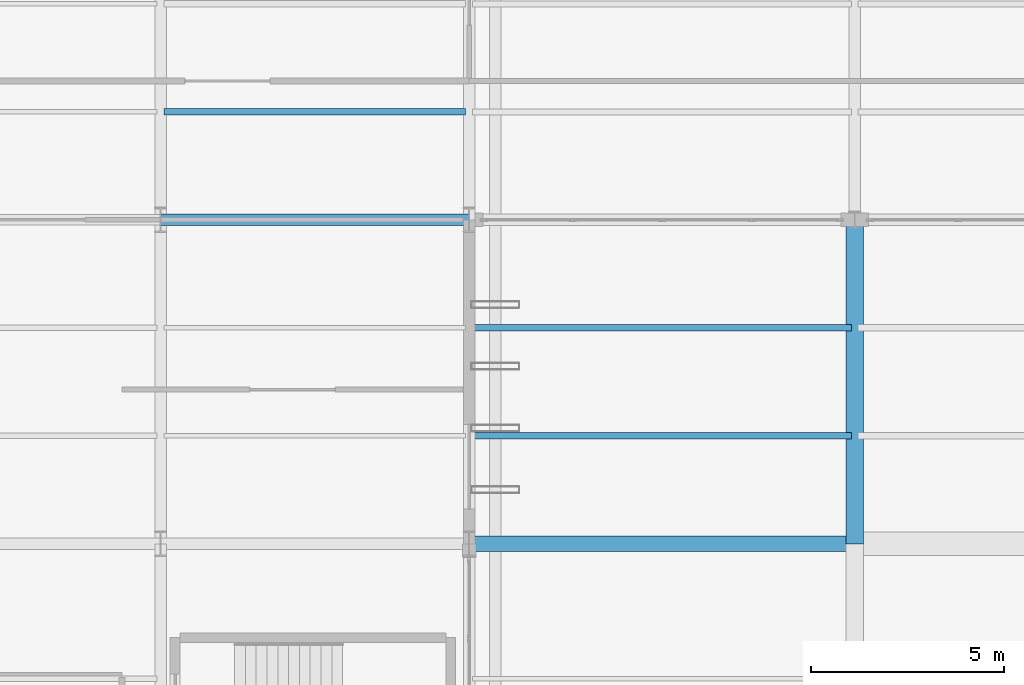
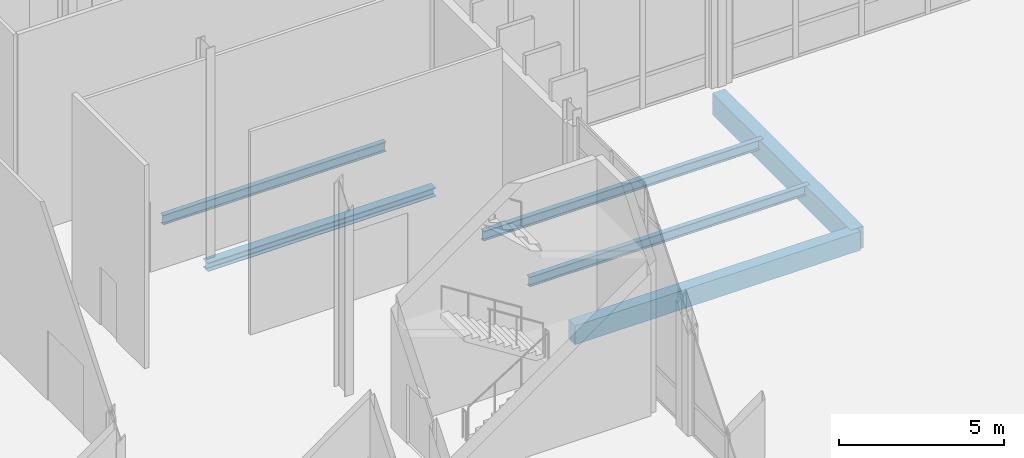
# One storey, part 94 of 176: 6 beams.
"""IFC4 building model written with IfcOpenShell, lengths in metres."""

import ifcopenshell
import ifcopenshell.guid

model = None  # the IFC model being written
_history = None  # IfcOwnerHistory: only IFC2X3 demands one
_inside = {}  # id of a spatial element -> (the spatial element, [elements in it])
_under = {}  # id of a project, library or spatial element -> (it, [spatial elements below it])
_declared = {}  # id of a project -> (the project, [libraries it declares])
_typed = {}  # id of a type object -> (the type object, [elements of that type])
_made_of = {}  # id of a material, layer set ... -> (it, [elements and type objects made of it])


def new_model(schema):
    """Start an empty IFC model of exactly this schema.

    Asked for "IFC4X3", IfcOpenShell would pick the latest addendum, in which some entities
    have other attributes; the version numbers below select the first issue.
    IFC2X3 requires an IfcOwnerHistory on every rooted entity: one is made here for all.
    """
    global model, _history
    if schema == "IFC4X3":
        model = ifcopenshell.file(schema_version=(4, 3, 0, 0))
    else:
        model = ifcopenshell.file(schema=schema)
    _inside.clear()
    _under.clear()
    _declared.clear()
    _typed.clear()
    _made_of.clear()
    _history = None
    if model.schema == "IFC2X3":
        org = make("IfcOrganization", Name="unknown")
        user = make(
            "IfcPersonAndOrganization",
            ThePerson=make("IfcPerson", FamilyName="unknown"),
            TheOrganization=org,
        )
        app = make(
            "IfcApplication",
            ApplicationDeveloper=org,
            Version="unknown",
            ApplicationFullName="unknown",
            ApplicationIdentifier="unknown",
        )
        _history = make(
            "IfcOwnerHistory",
            OwningUser=user,
            OwningApplication=app,
            ChangeAction="ADDED",
            CreationDate=0,
        )
    return model


def make(cls, **values):
    """One entity of the class cls with the attributes given. An attribute that is None is left unset."""
    return model.create_entity(
        cls, **{name: value for name, value in values.items() if value is not None}
    )


def rooted(cls, **values):
    """An entity with a GlobalId (a new one), such as an element, a storey or a relation."""
    return make(cls, GlobalId=ifcopenshell.guid.new(), OwnerHistory=_history, **values)


def si_unit(unit_type, name, prefix=None):
    """IfcSIUnit, for example si_unit("LENGTHUNIT", "METRE", prefix="MILLI")."""
    return make("IfcSIUnit", UnitType=unit_type, Prefix=prefix, Name=name)


def assignment(units):
    """IfcUnitAssignment: the units of a project."""
    return None if units is None else make("IfcUnitAssignment", Units=units)


def point(xyz):
    """IfcCartesianPoint."""
    return None if xyz is None else make("IfcCartesianPoint", Coordinates=xyz)


def direction(xyz):
    """IfcDirection."""
    return None if xyz is None else make("IfcDirection", DirectionRatios=xyz)


def frame(location, z_axis=None, x_axis=None):
    """IfcAxis2Placement3D, a coordinate frame: its origin and axes. An axis left out is left unset."""
    return make(
        "IfcAxis2Placement3D",
        Location=point(location),
        Axis=direction(z_axis),
        RefDirection=direction(x_axis),
    )


def frame_2d(location, x_axis=None):
    """IfcAxis2Placement2D, a coordinate frame in the plane: its origin and x axis."""
    return make(
        "IfcAxis2Placement2D", Location=point(location), RefDirection=direction(x_axis)
    )


def origin():
    """The frame at (0, 0, 0) with its axes left unset."""
    return frame((0.0, 0.0, 0.0))


def origin_2d():
    """The frame at (0, 0) in the plane with its x axis left unset."""
    return frame_2d((0.0, 0.0))


def place(relative_to, where):
    """IfcLocalPlacement: puts the frame where relative to a parent placement (None: the world)."""
    return make(
        "IfcLocalPlacement", PlacementRelTo=relative_to, RelativePlacement=where
    )


def context(
    kind, dimensions, precision=None, world=None, true_north=None, identifier=None
):
    """IfcGeometricRepresentationContext, for example the 3D "Model" context."""
    return make(
        "IfcGeometricRepresentationContext",
        ContextIdentifier=identifier,
        ContextType=kind,
        CoordinateSpaceDimension=dimensions,
        Precision=precision,
        WorldCoordinateSystem=world,
        TrueNorth=true_north,
    )


def subcontext(parent, identifier, kind, view, scale=None):
    """IfcGeometricRepresentationSubContext, for example "Body" below "Model"."""
    return make(
        "IfcGeometricRepresentationSubContext",
        ContextIdentifier=identifier,
        ContextType=kind,
        ParentContext=parent,
        TargetScale=scale,
        TargetView=view,
    )


def project(units=None, contexts=None):
    """IfcProject with its units and contexts."""
    return rooted(
        "IfcProject",
        Name="project",
        RepresentationContexts=contexts,
        UnitsInContext=assignment(units),
    )


def spatial(cls, under=None, at=None, **own):
    """A site, building, storey or space (cls), placed at a placement, below another one or the project."""
    s = rooted(cls, ObjectPlacement=at, **own)
    if under is not None:
        _under.setdefault(under.id(), (under, []))[1].append(s)
    return s


def profile(cls, at=None, kind="AREA", **sizes):
    """A parametric profile (cls). Its sizes go by their IFC names, for example OverallWidth=200.0."""
    return make(cls, ProfileType=kind, Position=at, **sizes)


def rectangle(**sizes):
    """IfcRectangleProfileDef."""
    return profile("IfcRectangleProfileDef", **sizes)


def i_section(**sizes):
    """IfcIShapeProfileDef."""
    return profile("IfcIShapeProfileDef", **sizes)


def extrude(swept, where, along, depth):
    """IfcExtrudedAreaSolid: the profile swept, set in the frame where, extruded along a direction by depth."""
    return make(
        "IfcExtrudedAreaSolid",
        SweptArea=swept,
        Position=where,
        ExtrudedDirection=direction(along),
        Depth=depth,
    )


def shape(context_of_items, identifier, shape_type, items):
    """IfcShapeRepresentation: the items that make up one representation, for example the "Body"."""
    return make(
        "IfcShapeRepresentation",
        ContextOfItems=context_of_items,
        RepresentationIdentifier=identifier,
        RepresentationType=shape_type,
        Items=items,
    )


def material(Name=None, Category=None):
    """IfcMaterial."""
    return make("IfcMaterial", Name=Name, Category=Category)


def material_profile(
    of_material, cross_section, Name=None, Category=None, Priority=None
):
    """IfcMaterialProfile: a cross section and its material."""
    return make(
        "IfcMaterialProfile",
        Name=Name,
        Material=of_material,
        Profile=cross_section,
        Priority=Priority,
        Category=Category,
    )


def profile_set(profiles, Name=None, composite=None):
    """IfcMaterialProfileSet."""
    return make(
        "IfcMaterialProfileSet",
        Name=Name,
        MaterialProfiles=profiles,
        CompositeProfile=composite,
    )


def made_of(thing, what):
    """Note that an element or type object is made of a material, layer set ...; save() writes the relation."""
    if what is not None:
        _made_of.setdefault(what.id(), (what, []))[1].append(thing)
    return thing


def type_object(cls, material=None, **own):
    """A type object (cls), such as IfcWallType, which elements share."""
    return made_of(rooted(cls, **own), material)


def element(
    cls,
    number,
    at=None,
    inside=None,
    cuts=None,
    type_object=None,
    material=None,
    context=None,
    identifier="Body",
    shape_type=None,
    held_by="IfcProductDefinitionShape",
    body=None,
    shapes=None,
    **own,
):
    """One element of the class cls, such as IfcWall. Its Tag is "e" and its number.

    at: its placement. inside: the storey or other place that contains it. cuts: it is an
    opening in that element (IfcRelVoidsElement). A single representation is given by context,
    identifier, shape_type and body (its items); several are given by shapes. held_by: the class
    of the entity that holds the representations. save() writes the other relations.
    """
    e = rooted(cls, Tag="e%d" % number, ObjectPlacement=at, **own)
    if body is not None:
        shapes = [shape(context, identifier, shape_type, body)]
    if shapes is not None:
        e.Representation = make(held_by, Representations=shapes)
    if inside is not None:
        _inside.setdefault(inside.id(), (inside, []))[1].append(e)
    if cuts is not None:
        rooted(
            "IfcRelVoidsElement", RelatingBuildingElement=cuts, RelatedOpeningElement=e
        )
    if type_object is not None:
        _typed.setdefault(type_object.id(), (type_object, []))[1].append(e)
    return made_of(e, material)


def aggregate(whole, parts):
    """IfcRelAggregates: a whole, such as a stair, and the parts it consists of."""
    return rooted("IfcRelAggregates", RelatingObject=whole, RelatedObjects=parts)


def save(model, path):
    """Write the relations noted so far, then the file.

    IfcRelAggregates (storeys below a building ...), IfcRelContainedInSpatialStructure (elements
    in a storey), IfcRelDefinesByType, IfcRelAssociatesMaterial and IfcRelDeclares: one each for
    every whole, place, type object, material and project.
    """
    for whole, parts in _under.values():
        aggregate(whole, parts)
    for where, things in _inside.values():
        rooted(
            "IfcRelContainedInSpatialStructure",
            RelatedElements=things,
            RelatingStructure=where,
        )
    for kind, things in _typed.values():
        rooted("IfcRelDefinesByType", RelatedObjects=things, RelatingType=kind)
    for what, things in _made_of.values():
        rooted("IfcRelAssociatesMaterial", RelatedObjects=things, RelatingMaterial=what)
    for by, libraries in _declared.values():
        rooted("IfcRelDeclares", RelatingContext=by, RelatedDefinitions=libraries)
    model.write(path)


model = new_model("IFC4")

# Units and contexts
model_context = context("Model", 3, precision=1e-05, world=origin(), true_north=direction((0.0, 1.0)))
body_context = subcontext(model_context, "Body", "Model", "MODEL_VIEW")
ifc_project = project(units=[si_unit("LENGTHUNIT", "METRE"), si_unit("AREAUNIT", "SQUARE_METRE"), si_unit("VOLUMEUNIT", "CUBIC_METRE"), si_unit("PLANEANGLEUNIT", "RADIAN"), si_unit("MASSUNIT", "GRAM", prefix="KILO")], contexts=[model_context])

# Site, building, storey
site_placement = place(None, origin())
site = spatial("IfcSite", under=ifc_project, at=site_placement, CompositionType="ELEMENT")
building_placement = place(site_placement, origin())
building = spatial("IfcBuilding", under=site, at=building_placement, Name="Vekula Escarpment Museum", CompositionType="ELEMENT")
storey_placement = place(building_placement, origin())
storey = spatial("IfcBuildingStorey", under=building, at=storey_placement, Name="L01", CompositionType="ELEMENT", Elevation=0.0)

# Beams
ifc_material_1 = material(Name="Steel S355", Category="steel")
ifc_material_profile_1 = material_profile(ifc_material_1, i_section(OverallWidth=0.300048828125, OverallDepth=0.320068359375, WebThickness=0.011474609375, FlangeThickness=0.0205078125, FilletRadius=0.027099609375, at=origin_2d()), Name="HEB 320")
ifc_profile_set_1 = profile_set([ifc_material_profile_1], Name="Steel S355")
beam_type_1 = type_object("IfcBeamType", Name="BM-GIRD-HEB320", PredefinedType="BEAM", material=ifc_profile_set_1)
beam_1_placement = place(storey_placement, frame((118.0, 68.0, -0.4599609375), z_axis=(1.0, 0.0, 0.0), x_axis=(0.0, 1.0, 0.0)))
element("IfcBeam", 1, at=beam_1_placement, inside=storey, type_object=beam_type_1, Name="Beam X L01 0198", PredefinedType="BEAM", context=body_context, shape_type="SweptSolid", body=[
    extrude(i_section(OverallWidth=0.300048828125, OverallDepth=0.320068359375, WebThickness=0.011474609375, FlangeThickness=0.0205078125, FilletRadius=0.027099609375, at=origin_2d()), origin(), (0.0, 0.0, 1.0), 8.0),
])
ifc_material_2 = material(Name="Steel S355", Category="steel")
ifc_material_profile_2 = material_profile(ifc_material_2, i_section(OverallWidth=0.169921875, OverallDepth=0.360107421875, WebThickness=0.008056640625, FlangeThickness=0.0126953125, FilletRadius=0.01806640625, at=origin_2d()), Name="IPE 360")
ifc_profile_set_2 = profile_set([ifc_material_profile_2], Name="Steel S355")
beam_type_2 = type_object("IfcBeamType", Name="BM-JST-IPE360", PredefinedType="JOIST", material=ifc_profile_set_2)
beam_2_placement = place(storey_placement, frame((118.090087890625, 70.800048828125, -0.47998046875), z_axis=(1.0, 0.0, 0.0), x_axis=(0.0, 1.0, 0.0)))
element("IfcBeam", 2, at=beam_2_placement, inside=storey, type_object=beam_type_2, Name="Secondary Joist L01 0397", PredefinedType="JOIST", context=body_context, shape_type="SweptSolid", body=[
    extrude(i_section(OverallWidth=0.169921875, OverallDepth=0.360107421875, WebThickness=0.008056640625, FlangeThickness=0.0126953125, FilletRadius=0.01806640625, at=origin_2d()), origin(), (0.0, 0.0, 1.0), 7.81982421875),
])
for number, where, z_axis, x_axis, name in (
    (3, (126.090087890625, 62.39990234375, -0.47998046875), (1.0, 0.0, 0.0), (0.0, 1.0, 0.0), "Secondary Joist L01 0427"),
    (4, (126.090087890625, 65.199951171875, -0.47998046875), (1.0, 0.0, 0.0), (0.0, 1.0, 0.0), "Secondary Joist L01 0428"),
):
    element("IfcBeam", number, at=place(storey_placement, frame(where, z_axis=z_axis, x_axis=x_axis)), inside=storey, type_object=beam_type_2, Name=name, PredefinedType="JOIST", context=body_context, shape_type="SweptSolid", body=[
        extrude(i_section(OverallWidth=0.169921875, OverallDepth=0.360107421875, WebThickness=0.008056640625, FlangeThickness=0.0126953125, FilletRadius=0.01806640625, at=origin_2d()), origin(), (0.0, 0.0, 1.0), 9.81982421875),
    ])
ifc_material_3 = material(Name="Concrete C35/45", Category="concrete")
ifc_material_profile_3 = material_profile(ifc_material_3, rectangle(XDim=0.449951171875, YDim=0.800048828125, at=origin_2d()), Name="RC 450x800")
ifc_profile_set_3 = profile_set([ifc_material_profile_3], Name="Concrete C35/45")
beam_type_3 = type_object("IfcBeamType", Name="BM-PLINTH-RC", PredefinedType="BEAM", material=ifc_profile_set_3)
beam_3_placement = place(storey_placement, frame((136.0, 59.60009765625, -0.699951171875), z_axis=(0.0, 1.0, 0.0), x_axis=(-1.0, 0.0, 0.0)))
element("IfcBeam", 5, at=beam_3_placement, inside=storey, type_object=beam_type_3, Name="Beam Y L01 0676", PredefinedType="BEAM", context=body_context, shape_type="SweptSolid", body=[
    extrude(rectangle(XDim=0.449951171875, YDim=0.800048828125, at=origin_2d()), origin(), (0.0, 0.0, 1.0), 8.39990234375),
])
ifc_material_4 = material(Name="Concrete C35/45", Category="concrete")
ifc_material_profile_4 = material_profile(ifc_material_4, rectangle(XDim=0.39990234375, YDim=0.699951171875, at=origin_2d()), Name="RC 400x700")
ifc_profile_set_4 = profile_set([ifc_material_profile_4], Name="Concrete C35/45")
beam_type_4 = type_object("IfcBeamType", Name="BM-PLINTH-RC2", PredefinedType="BEAM", material=ifc_profile_set_4)
beam_4_placement = place(storey_placement, frame((126.0, 59.60009765625, -0.64990234375), z_axis=(1.0, 0.0, 0.0), x_axis=(0.0, 1.0, 0.0)))
element("IfcBeam", 6, at=beam_4_placement, inside=storey, type_object=beam_type_4, Name="Beam X L01 0176", PredefinedType="BEAM", context=body_context, shape_type="SweptSolid", body=[
    extrude(rectangle(XDim=0.39990234375, YDim=0.699951171875, at=origin_2d()), origin(), (0.0, 0.0, 1.0), 10.0),
])

save(model, "model.ifc")
